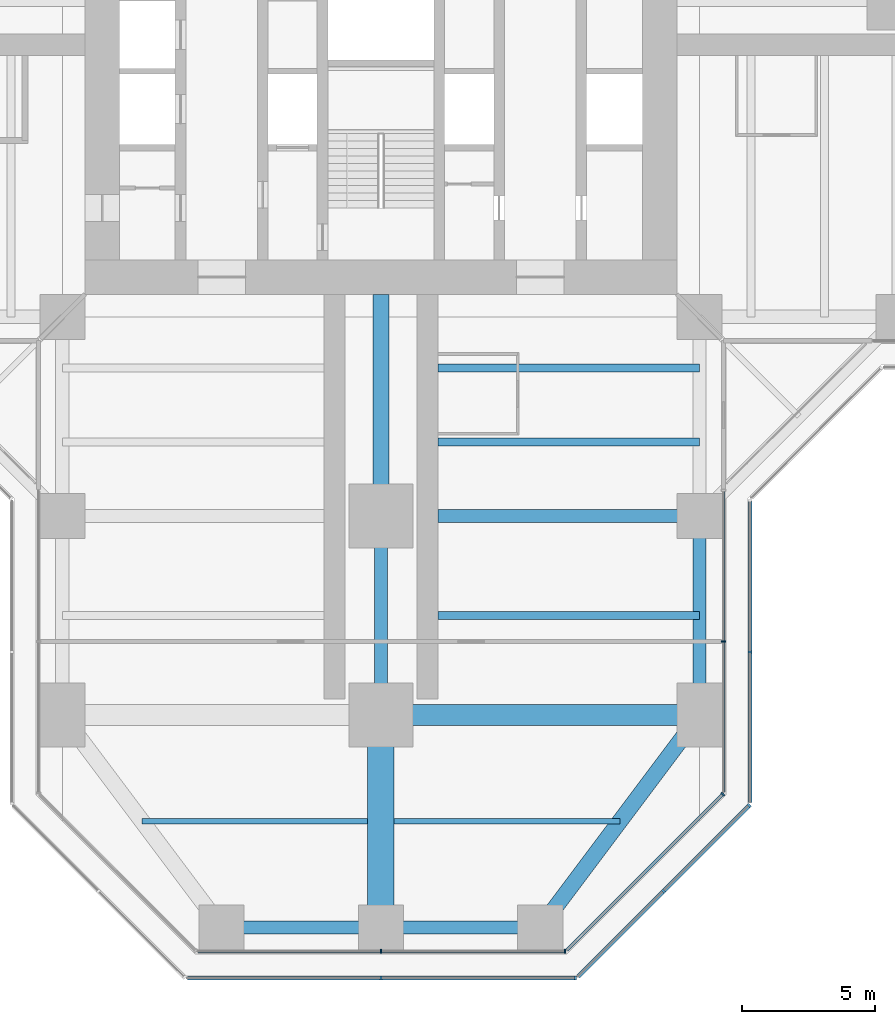
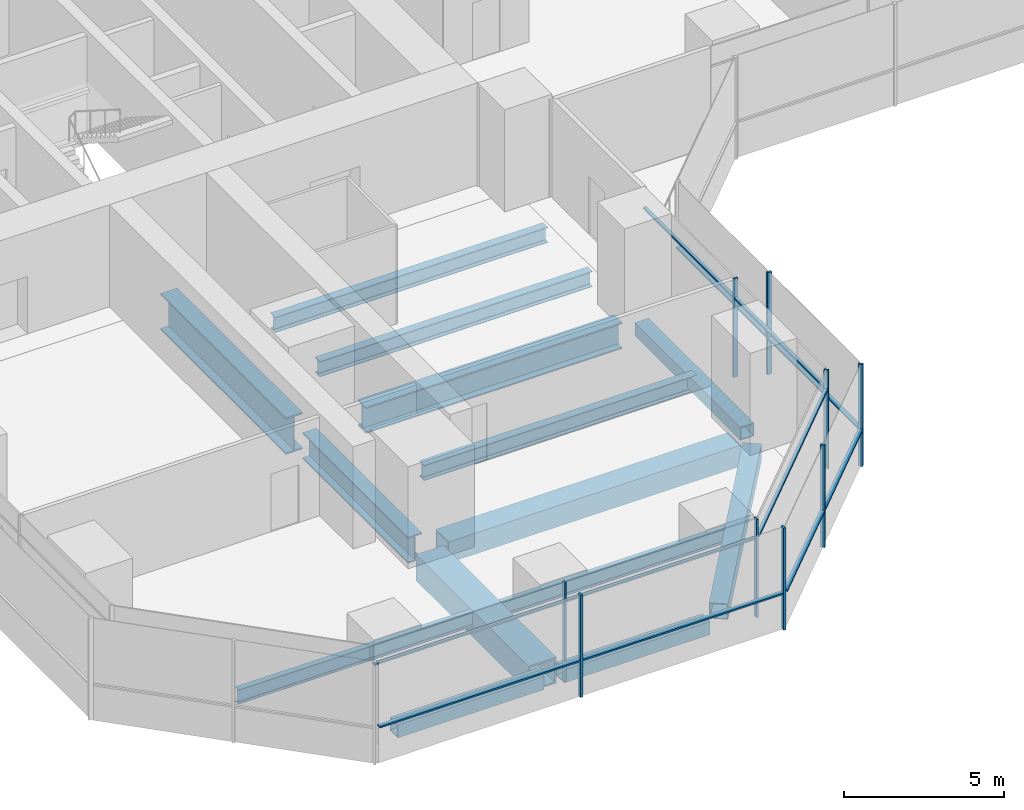
# One storey, part 5 of 22: 20 members, 14 beams, 6 elements without a shape of their own.
"""IFC4 building model written with IfcOpenShell, lengths in metres."""

from ifc_helpers import new_model, si_unit, direction, frame, origin, origin_2d, place, context, subcontext, project, spatial, rectangle, hollow_rectangle, i_section, extrude, material, material_profile, profile_set, type_object, element, aggregate, save


model = new_model("IFC4")

# Units and contexts
model_context = context("Model", 3, precision=1e-05, world=origin(), true_north=direction((0.0, 1.0)))
body_context = subcontext(model_context, "Body", "Model", "MODEL_VIEW")
ifc_project = project(units=[si_unit("LENGTHUNIT", "METRE"), si_unit("AREAUNIT", "SQUARE_METRE"), si_unit("VOLUMEUNIT", "CUBIC_METRE"), si_unit("PLANEANGLEUNIT", "RADIAN"), si_unit("MASSUNIT", "GRAM", prefix="KILO")], contexts=[model_context])

# Site, building, storey
site_placement = place(None, origin())
site = spatial("IfcSite", under=ifc_project, at=site_placement, CompositionType="ELEMENT")
building_placement = place(site_placement, origin())
building = spatial("IfcBuilding", under=site, at=building_placement, Name="Mizan Broadcast Tower", CompositionType="ELEMENT")
storey_placement = place(building_placement, frame((0.0, 0.0, 109.800048828125)))
storey = spatial("IfcBuildingStorey", under=building, at=storey_placement, Name="L24", CompositionType="ELEMENT", Elevation=109.800048828125)

# Beams
ifc_material_1 = material(Name="Steel S355", Category="steel")
ifc_material_profile_1 = material_profile(ifc_material_1, hollow_rectangle(XDim=0.5, YDim=0.5, WallThickness=0.030029296875, at=origin_2d()), Name="BOX 500x500x30")
ifc_profile_set_1 = profile_set([ifc_material_profile_1], Name="Steel S355")
beam_type_1 = type_object("IfcBeamType", Name="EDGE BEAM BOX 500x500x30", PredefinedType="SPANDREL", material=ifc_profile_set_1)
beam_1_placement = place(storey_placement, frame((-5.639892578125, -35.0, -0.380126953125), z_axis=(1.0, 0.0, 0.0), x_axis=(0.0, 1.0, 0.0)))
element("IfcBeam", 1, at=beam_1_placement, inside=storey, type_object=beam_type_1, Name="Edge beam BOX 500x500x30 L24 south arm", PredefinedType="SPANDREL", context=body_context, shape_type="SweptSolid", body=[
    extrude(hollow_rectangle(XDim=0.5, YDim=0.5, WallThickness=0.030029296875, at=origin_2d()), origin(), (0.0, 0.0, 1.0), 5.27978515625),
])
beam_2_placement = place(storey_placement, frame((12.0, -19.949951171875, -0.380126953125), z_axis=(0.0, -1.0, 0.0), x_axis=(1.0, 0.0, 0.0)))
element("IfcBeam", 2, at=beam_2_placement, inside=storey, type_object=beam_type_1, Name="Edge beam BOX 500x500x30 L24 south arm", PredefinedType="SPANDREL", context=body_context, shape_type="SweptSolid", body=[
    extrude(hollow_rectangle(XDim=0.5, YDim=0.5, WallThickness=0.030029296875, at=origin_2d()), origin(), (0.0, 0.0, 1.0), 6.60009765625),
])
beam_3_placement = place(storey_placement, frame((5.639892578125, -35.0, -0.380126953125), z_axis=(-1.0, 0.0, 0.0), x_axis=(0.0, -1.0, 0.0)))
element("IfcBeam", 3, at=beam_3_placement, inside=storey, type_object=beam_type_1, Name="Edge beam BOX 500x500x30 L24 south arm", PredefinedType="SPANDREL", context=body_context, shape_type="SweptSolid", body=[
    extrude(hollow_rectangle(XDim=0.5, YDim=0.5, WallThickness=0.030029296875, at=origin_2d()), origin(), (0.0, 0.0, 1.0), 5.27978515625),
])
ifc_material_2 = material(Name="Steel S355", Category="steel")
ifc_material_profile_2 = material_profile(ifc_material_2, hollow_rectangle(XDim=0.60009765625, YDim=0.60009765625, WallThickness=0.030029296875, at=origin_2d()), Name="BOX 600x600x30")
ifc_profile_set_2 = profile_set([ifc_material_profile_2], Name="Steel S355")
beam_type_2 = type_object("IfcBeamType", Name="EDGE BEAM BOX 600x600x30", PredefinedType="SPANDREL", material=ifc_profile_set_2)
beam_4_placement = place(storey_placement, frame((11.639892578125, -27.47998046875, -0.429931640625), z_axis=(-0.599982243973, -0.800013316712, 0.0), x_axis=(0.800013316712, -0.599982243973, 0.0)))
element("IfcBeam", 4, at=beam_4_placement, inside=storey, type_object=beam_type_2, Name="Edge beam BOX 600x600x30 L24 south arm", PredefinedType="SPANDREL", context=body_context, shape_type="SweptSolid", body=[
    extrude(hollow_rectangle(XDim=0.60009765625, YDim=0.60009765625, WallThickness=0.030029296875, at=origin_2d()), origin(), (0.0, 0.0, 1.0), 8.7998046875),
])
ifc_material_3 = material(Name="Steel S460", Category="steel")
ifc_material_profile_3 = material_profile(ifc_material_3, hollow_rectangle(XDim=1.0, YDim=1.0, WallThickness=0.06005859375, at=origin_2d()), Name="BOX 1000x1000x60")
ifc_profile_set_3 = profile_set([ifc_material_profile_3], Name="Steel S460")
beam_type_3 = type_object("IfcBeamType", Name="GIRDER BOX 1000x1000x60", PredefinedType="BEAM", material=ifc_profile_set_3)
beam_5_placement = place(storey_placement, frame((0.0, -27.47998046875, -0.630126953125), z_axis=(0.0, -1.0, 0.0), x_axis=(1.0, 0.0, 0.0)))
element("IfcBeam", 5, at=beam_5_placement, inside=storey, type_object=beam_type_3, Name="Girder BOX 1000x1000x60 L24 south arm", PredefinedType="BEAM", context=body_context, shape_type="SweptSolid", body=[
    extrude(hollow_rectangle(XDim=1.0, YDim=1.0, WallThickness=0.06005859375, at=origin_2d()), origin(), (0.0, 0.0, 1.0), 7.0400390625),
])
ifc_material_4 = material(Name="Steel S460", Category="steel")
ifc_material_profile_4 = material_profile(ifc_material_4, hollow_rectangle(XDim=0.800048828125, YDim=0.800048828125, WallThickness=0.050048828125, at=origin_2d()), Name="BOX 800x800x50")
ifc_profile_set_4 = profile_set([ifc_material_profile_4], Name="Steel S460")
beam_type_4 = type_object("IfcBeamType", Name="GIRDER BOX 800x800x50", PredefinedType="BEAM", material=ifc_profile_set_4)
beam_6_placement = place(storey_placement, frame((11.280029296875, -27.0, -0.530029296875), z_axis=(-1.0, 0.0, 0.0), x_axis=(0.0, -1.0, 0.0)))
element("IfcBeam", 6, at=beam_6_placement, inside=storey, type_object=beam_type_4, Name="Girder BOX 800x800x50 L24 south arm", PredefinedType="BEAM", context=body_context, shape_type="SweptSolid", body=[
    extrude(hollow_rectangle(XDim=0.800048828125, YDim=0.800048828125, WallThickness=0.050048828125, at=origin_2d()), origin(), (0.0, 0.0, 1.0), 10.56005859375),
])
ifc_material_5 = material(Name="Steel S460", Category="steel")
ifc_material_profile_5 = material_profile(ifc_material_5, i_section(OverallWidth=0.5, OverallDepth=1.0, WebThickness=0.02490234375, FlangeThickness=0.050048828125, at=origin_2d()), Name="WPG 1000x500")
ifc_profile_set_5 = profile_set([ifc_material_profile_5], Name="Steel S460")
beam_type_5 = type_object("IfcBeamType", Name="GIRDER WPG 1000x500", PredefinedType="BEAM", material=ifc_profile_set_5)
beam_7_placement = place(storey_placement, frame((0.0, -19.949951171875, -0.630126953125), z_axis=(0.0, -1.0, 0.0), x_axis=(1.0, 0.0, 0.0)))
element("IfcBeam", 7, at=beam_7_placement, inside=storey, type_object=beam_type_5, Name="Girder WPG 1000x500 L24 south arm", PredefinedType="BEAM", context=body_context, shape_type="SweptSolid", body=[
    extrude(i_section(OverallWidth=0.5, OverallDepth=1.0, WebThickness=0.02490234375, FlangeThickness=0.050048828125, at=origin_2d()), origin(), (0.0, 0.0, 1.0), 6.60009765625),
])
beam_8_placement = place(storey_placement, frame((11.408935546875, -19.5, -0.630126953125), z_axis=(-1.0, 0.0, 0.0), x_axis=(0.0, -1.0, 0.0)))
element("IfcBeam", 8, at=beam_8_placement, inside=storey, type_object=beam_type_5, Name="Girder WPG 1000x500 L24 south arm", PredefinedType="BEAM", context=body_context, shape_type="SweptSolid", body=[
    extrude(i_section(OverallWidth=0.5, OverallDepth=1.0, WebThickness=0.02490234375, FlangeThickness=0.050048828125, at=origin_2d()), origin(), (0.0, 0.0, 1.0), 9.259033203125),
])
ifc_material_6 = material(Name="Steel S460", Category="steel")
ifc_material_profile_6 = material_profile(ifc_material_6, i_section(OverallWidth=0.60009765625, OverallDepth=1.39990234375, WebThickness=0.02490234375, FlangeThickness=0.06005859375, at=origin_2d()), Name="WPG 1400x600")
ifc_profile_set_6 = profile_set([ifc_material_profile_6], Name="Steel S460")
beam_type_6 = type_object("IfcBeamType", Name="GIRDER WPG 1400x600", PredefinedType="BEAM", material=ifc_profile_set_6)
beam_9_placement = place(storey_placement, frame((0.0, -11.14990234375, -0.830078125), z_axis=(0.0, -1.0, 0.0), x_axis=(1.0, 0.0, 0.0)))
element("IfcBeam", 9, at=beam_9_placement, inside=storey, type_object=beam_type_6, Name="Girder WPG 1400x600 L24 south arm", PredefinedType="BEAM", context=body_context, shape_type="SweptSolid", body=[
    extrude(i_section(OverallWidth=0.60009765625, OverallDepth=1.39990234375, WebThickness=0.02490234375, FlangeThickness=0.06005859375, at=origin_2d()), origin(), (0.0, 0.0, 1.0), 7.84912109375),
])

# Curtain wall, members
ifc_material_7 = material(Name="Aluminium framed glazing", Category="aluminium")
curtain_wall_type_1 = type_object("IfcCurtainWallType", Name="INNER SKIN LOW ZONE", PredefinedType="USERDEFINED", material=ifc_material_7)
curtain_wall_1_placement = place(storey_placement, origin())
curtain_wall_1 = element("IfcCurtainWall", 10, at=curtain_wall_1_placement, inside=storey, type_object=curtain_wall_type_1, Name="Inner skin low zone L24 S end", ObjectType="INNER SKIN LOW ZONE", PredefinedType="USERDEFINED")
ifc_material_8 = material(Name="Aluminium, pale anodised", Category="aluminium")
ifc_material_profile_7 = material_profile(ifc_material_8, rectangle(XDim=0.159912109375, YDim=0.06005859375, at=origin_2d()), Name="MULLION 160x60")
ifc_profile_set_7 = profile_set([ifc_material_profile_7], Name="Aluminium, pale anodised")
member_type_1 = type_object("IfcMemberType", Name="INNER SKIN MULLION 60x160", PredefinedType="MULLION", material=ifc_profile_set_7)
member_1_placement = place(storey_placement, frame((0.0, -35.89990234375, 0.0), z_axis=(0.0, 0.0, 1.0), x_axis=(0.0, 1.0, 0.0)))
member_1 = element("IfcMember", 11, at=member_1_placement, type_object=member_type_1, Name="Inner skin low zone L24 S end mullion 2", PredefinedType="MULLION", context=body_context, shape_type="SweptSolid", body=[
    extrude(rectangle(XDim=0.159912109375, YDim=0.06005859375, at=origin_2d()), origin(), (0.0, 0.0, 1.0), 3.77001953125),
])
member_2_placement = place(storey_placement, frame((6.928466796875, -35.89990234375, 0.0), z_axis=(0.0, 0.0, 1.0), x_axis=(0.0, 1.0, 0.0)))
member_2 = element("IfcMember", 12, at=member_2_placement, type_object=member_type_1, Name="Inner skin low zone L24 S end mullion 3", PredefinedType="MULLION", context=body_context, shape_type="SweptSolid", body=[
    extrude(rectangle(XDim=0.159912109375, YDim=0.06005859375, at=origin_2d()), origin(), (0.0, 0.0, 1.0), 3.77001953125),
])

# Curtain wall, member
curtain_wall_2_placement = place(storey_placement, origin())
curtain_wall_2 = element("IfcCurtainWall", 13, at=curtain_wall_2_placement, inside=storey, type_object=curtain_wall_type_1, Name="Inner skin low zone L24 S chamfer", ObjectType="INNER SKIN LOW ZONE", PredefinedType="USERDEFINED")
member_3_placement = place(storey_placement, frame((12.87890625, -29.979736328125, 0.0), z_axis=(0.0, 0.0, 1.0), x_axis=(-0.707106781187, 0.707106781187, 0.0)))
member_3 = element("IfcMember", 14, at=member_3_placement, type_object=member_type_1, Name="Inner skin low zone L24 S chamfer mullion 2", PredefinedType="MULLION", context=body_context, shape_type="SweptSolid", body=[
    extrude(rectangle(XDim=0.159912109375, YDim=0.06005859375, at=origin_2d()), origin(), (0.0, 0.0, 1.0), 3.77001953125),
])

curtain_wall_3_placement = place(storey_placement, origin())
curtain_wall_3 = element("IfcCurtainWall", 15, at=curtain_wall_3_placement, inside=storey, type_object=curtain_wall_type_1, Name="Inner skin low zone L24 S side", ObjectType="INNER SKIN LOW ZONE", PredefinedType="USERDEFINED")
member_4_placement = place(storey_placement, frame((12.89990234375, -24.229248046875, 0.0), z_axis=(0.0, 0.0, 1.0), x_axis=(-1.0, 0.0, 0.0)))
member_4 = element("IfcMember", 16, at=member_4_placement, type_object=member_type_1, Name="Inner skin low zone L24 S side mullion 2", PredefinedType="MULLION", context=body_context, shape_type="SweptSolid", body=[
    extrude(rectangle(XDim=0.159912109375, YDim=0.06005859375, at=origin_2d()), origin(), (0.0, 0.0, 1.0), 3.77001953125),
])

# Member
ifc_material_9 = material(Name="Aluminium, pale anodised", Category="aluminium")
ifc_material_profile_8 = material_profile(ifc_material_9, rectangle(XDim=0.1201171875, YDim=0.06005859375, at=origin_2d()), Name="TRANSOM 120x60")
ifc_profile_set_8 = profile_set([ifc_material_profile_8], Name="Aluminium, pale anodised")
member_type_2 = type_object("IfcMemberType", Name="INNER SKIN TRANSOM 60x120", PredefinedType="USERDEFINED", material=ifc_profile_set_8)
member_5_placement = place(storey_placement, frame((-6.898681640625, -35.89990234375, 3.030029296875), z_axis=(1.0, 0.0, 0.0), x_axis=(0.0, 1.0, 0.0)))
member_5 = element("IfcMember", 17, at=member_5_placement, type_object=member_type_2, Name="Inner skin low zone L24 S end transom 1.1", ObjectType="TRANSOM", PredefinedType="USERDEFINED", context=body_context, shape_type="SweptSolid", body=[
    extrude(rectangle(XDim=0.1201171875, YDim=0.06005859375, at=origin_2d()), origin(), (0.0, 0.0, 1.0), 6.86865234375),
])

member_6_placement = place(storey_placement, frame((0.030029296875, -35.89990234375, 3.030029296875), z_axis=(1.0, 0.0, 0.0), x_axis=(0.0, 1.0, 0.0)))
member_6 = element("IfcMember", 18, at=member_6_placement, type_object=member_type_2, Name="Inner skin low zone L24 S end transom 2.1", ObjectType="TRANSOM", PredefinedType="USERDEFINED", context=body_context, shape_type="SweptSolid", body=[
    extrude(rectangle(XDim=0.1201171875, YDim=0.06005859375, at=origin_2d()), origin(), (0.0, 0.0, 1.0), 6.86865234375),
])

aggregate(curtain_wall_1, [member_1, member_2, member_5, member_6])

member_7_placement = place(storey_placement, frame((7.0009765625, -35.857666015625, 3.030029296875), z_axis=(0.707106781187, 0.707106781187, 0.0), x_axis=(-0.707106781187, 0.707106781187, 0.0)))
member_7 = element("IfcMember", 19, at=member_7_placement, type_object=member_type_2, Name="Inner skin low zone L24 S chamfer transom 1.1", ObjectType="TRANSOM", PredefinedType="USERDEFINED", context=body_context, shape_type="SweptSolid", body=[
    extrude(rectangle(XDim=0.1201171875, YDim=0.06005859375, at=origin_2d()), origin(), (0.0, 0.0, 1.0), 8.28271484375),
])

aggregate(curtain_wall_2, [member_3, member_7])

member_8_placement = place(storey_placement, frame((12.89990234375, -29.898681640625, 3.030029296875), z_axis=(0.0, 1.0, 0.0), x_axis=(-1.0, 0.0, 0.0)))
member_8 = element("IfcMember", 20, at=member_8_placement, type_object=member_type_2, Name="Inner skin low zone L24 S side transom 1.1", ObjectType="TRANSOM", PredefinedType="USERDEFINED", context=body_context, shape_type="SweptSolid", body=[
    extrude(rectangle(XDim=0.1201171875, YDim=0.06005859375, at=origin_2d()), origin(), (0.0, 0.0, 1.0), 5.639404296875),
])

member_9_placement = place(storey_placement, frame((12.89990234375, -24.19921875, 3.030029296875), z_axis=(0.0, 1.0, 0.0), x_axis=(-1.0, 0.0, 0.0)))
member_9 = element("IfcMember", 21, at=member_9_placement, type_object=member_type_2, Name="Inner skin low zone L24 S side transom 2.1", ObjectType="TRANSOM", PredefinedType="USERDEFINED", context=body_context, shape_type="SweptSolid", body=[
    extrude(rectangle(XDim=0.1201171875, YDim=0.06005859375, at=origin_2d()), origin(), (0.0, 0.0, 1.0), 5.63916015625),
])

aggregate(curtain_wall_3, [member_4, member_8, member_9])

# Curtain wall, members
ifc_material_10 = material(Name="Aluminium framed glazing", Category="aluminium")
curtain_wall_type_2 = type_object("IfcCurtainWallType", Name="OUTER SKIN", PredefinedType="USERDEFINED", material=ifc_material_10)
curtain_wall_4_placement = place(storey_placement, origin())
curtain_wall_4 = element("IfcCurtainWall", 22, at=curtain_wall_4_placement, inside=storey, type_object=curtain_wall_type_2, Name="Outer skin L24 S end", ObjectType="OUTER SKIN", PredefinedType="USERDEFINED")
ifc_material_11 = material(Name="Aluminium, pale anodised", Category="aluminium")
ifc_material_profile_9 = material_profile(ifc_material_11, rectangle(XDim=0.159912109375, YDim=0.080078125, at=origin_2d()), Name="MULLION 160x80")
ifc_profile_set_9 = profile_set([ifc_material_profile_9], Name="Aluminium, pale anodised")
member_type_3 = type_object("IfcMemberType", Name="OUTER SKIN MULLION 80x160", PredefinedType="MULLION", material=ifc_profile_set_9)
member_10_placement = place(storey_placement, frame((0.0, -36.89990234375, 0.0), z_axis=(0.0, 0.0, 1.0), x_axis=(0.0, 1.0, 0.0)))
member_10 = element("IfcMember", 23, at=member_10_placement, type_object=member_type_3, Name="Outer skin L24 S end mullion 2", PredefinedType="MULLION", context=body_context, shape_type="SweptSolid", body=[
    extrude(rectangle(XDim=0.159912109375, YDim=0.080078125, at=origin_2d()), origin(), (0.0, 0.0, 1.0), 3.89990234375),
])
member_11_placement = place(storey_placement, frame((7.332763671875, -36.89990234375, 0.0), z_axis=(0.0, 0.0, 1.0), x_axis=(0.0, 1.0, 0.0)))
member_11 = element("IfcMember", 24, at=member_11_placement, type_object=member_type_3, Name="Outer skin L24 S end mullion 3", PredefinedType="MULLION", context=body_context, shape_type="SweptSolid", body=[
    extrude(rectangle(XDim=0.159912109375, YDim=0.080078125, at=origin_2d()), origin(), (0.0, 0.0, 1.0), 3.89990234375),
])

curtain_wall_5_placement = place(storey_placement, origin())
curtain_wall_5 = element("IfcCurtainWall", 25, at=curtain_wall_5_placement, inside=storey, type_object=curtain_wall_type_2, Name="Outer skin L24 S chamfer", ObjectType="OUTER SKIN", PredefinedType="USERDEFINED")
member_12_placement = place(storey_placement, frame((10.636474609375, -33.636474609375, 0.0), z_axis=(0.0, 0.0, 1.0), x_axis=(-0.707106781187, 0.707106781187, 0.0)))
member_12 = element("IfcMember", 26, at=member_12_placement, type_object=member_type_3, Name="Outer skin L24 S chamfer mullion 2", PredefinedType="MULLION", context=body_context, shape_type="SweptSolid", body=[
    extrude(rectangle(XDim=0.159912109375, YDim=0.080078125, at=origin_2d()), origin(), (0.0, 0.0, 1.0), 3.89990234375),
])
member_13_placement = place(storey_placement, frame((13.871826171875, -30.401123046875, 0.0), z_axis=(0.0, 0.0, 1.0), x_axis=(-0.707106781187, 0.707106781187, 0.0)))
member_13 = element("IfcMember", 27, at=member_13_placement, type_object=member_type_3, Name="Outer skin L24 S chamfer mullion 3", PredefinedType="MULLION", context=body_context, shape_type="SweptSolid", body=[
    extrude(rectangle(XDim=0.159912109375, YDim=0.080078125, at=origin_2d()), origin(), (0.0, 0.0, 1.0), 3.89990234375),
])

# Curtain wall, member
curtain_wall_6_placement = place(storey_placement, origin())
curtain_wall_6 = element("IfcCurtainWall", 28, at=curtain_wall_6_placement, inside=storey, type_object=curtain_wall_type_2, Name="Outer skin L24 S side", ObjectType="OUTER SKIN", PredefinedType="USERDEFINED")
member_14_placement = place(storey_placement, frame((13.89990234375, -24.622802734375, 0.0), z_axis=(0.0, 0.0, 1.0), x_axis=(-1.0, 0.0, 0.0)))
member_14 = element("IfcMember", 29, at=member_14_placement, type_object=member_type_3, Name="Outer skin L24 S side mullion 2", PredefinedType="MULLION", context=body_context, shape_type="SweptSolid", body=[
    extrude(rectangle(XDim=0.159912109375, YDim=0.080078125, at=origin_2d()), origin(), (0.0, 0.0, 1.0), 3.89990234375),
])

# Member
ifc_material_12 = material(Name="Aluminium, pale anodised", Category="aluminium")
ifc_material_profile_10 = material_profile(ifc_material_12, rectangle(XDim=0.159912109375, YDim=0.06005859375, at=origin_2d()), Name="TRANSOM 160x60")
ifc_profile_set_10 = profile_set([ifc_material_profile_10], Name="Aluminium, pale anodised")
member_type_4 = type_object("IfcMemberType", Name="OUTER SKIN TRANSOM 60x160", PredefinedType="USERDEFINED", material=ifc_profile_set_10)
member_15_placement = place(storey_placement, frame((-7.292724609375, -36.89990234375, 1.39990234375), z_axis=(1.0, 0.0, 0.0), x_axis=(0.0, 1.0, 0.0)))
member_15 = element("IfcMember", 30, at=member_15_placement, type_object=member_type_4, Name="Outer skin L24 S end transom 1.1", ObjectType="TRANSOM", PredefinedType="USERDEFINED", context=body_context, shape_type="SweptSolid", body=[
    extrude(rectangle(XDim=0.159912109375, YDim=0.06005859375, at=origin_2d()), origin(), (0.0, 0.0, 1.0), 7.252685546875),
])

member_16_placement = place(storey_placement, frame((0.0400390625, -36.89990234375, 1.39990234375), z_axis=(1.0, 0.0, 0.0), x_axis=(0.0, 1.0, 0.0)))
member_16 = element("IfcMember", 31, at=member_16_placement, type_object=member_type_4, Name="Outer skin L24 S end transom 2.1", ObjectType="TRANSOM", PredefinedType="USERDEFINED", context=body_context, shape_type="SweptSolid", body=[
    extrude(rectangle(XDim=0.159912109375, YDim=0.06005859375, at=origin_2d()), origin(), (0.0, 0.0, 1.0), 7.252685546875),
])

aggregate(curtain_wall_4, [member_10, member_11, member_15, member_16])

member_17_placement = place(storey_placement, frame((7.429443359375, -36.843505859375, 1.39990234375), z_axis=(0.707106781187, 0.707106781187, 0.0), x_axis=(-0.707106781187, 0.707106781187, 0.0)))
member_17 = element("IfcMember", 32, at=member_17_placement, type_object=member_type_4, Name="Outer skin L24 S chamfer transom 1.1", ObjectType="TRANSOM", PredefinedType="USERDEFINED", context=body_context, shape_type="SweptSolid", body=[
    extrude(rectangle(XDim=0.159912109375, YDim=0.06005859375, at=origin_2d()), origin(), (0.0, 0.0, 1.0), 4.495361328125),
])

member_18_placement = place(storey_placement, frame((10.664794921875, -33.608154296875, 1.39990234375), z_axis=(0.707106781187, 0.707106781187, 0.0), x_axis=(-0.707106781187, 0.707106781187, 0.0)))
member_18 = element("IfcMember", 33, at=member_18_placement, type_object=member_type_4, Name="Outer skin L24 S chamfer transom 2.1", ObjectType="TRANSOM", PredefinedType="USERDEFINED", context=body_context, shape_type="SweptSolid", body=[
    extrude(rectangle(XDim=0.159912109375, YDim=0.06005859375, at=origin_2d()), origin(), (0.0, 0.0, 1.0), 4.495361328125),
])

aggregate(curtain_wall_5, [member_12, member_13, member_17, member_18])

member_19_placement = place(storey_placement, frame((13.89990234375, -30.292724609375, 1.39990234375), z_axis=(0.0, 1.0, 0.0), x_axis=(-1.0, 0.0, 0.0)))
member_19 = element("IfcMember", 34, at=member_19_placement, type_object=member_type_4, Name="Outer skin L24 S side transom 1.1", ObjectType="TRANSOM", PredefinedType="USERDEFINED", context=body_context, shape_type="SweptSolid", body=[
    extrude(rectangle(XDim=0.159912109375, YDim=0.06005859375, at=origin_2d()), origin(), (0.0, 0.0, 1.0), 5.6298828125),
])

member_20_placement = place(storey_placement, frame((13.89990234375, -24.582763671875, 1.39990234375), z_axis=(0.0, 1.0, 0.0), x_axis=(-1.0, 0.0, 0.0)))
member_20 = element("IfcMember", 35, at=member_20_placement, type_object=member_type_4, Name="Outer skin L24 S side transom 2.1", ObjectType="TRANSOM", PredefinedType="USERDEFINED", context=body_context, shape_type="SweptSolid", body=[
    extrude(rectangle(XDim=0.159912109375, YDim=0.06005859375, at=origin_2d()), origin(), (0.0, 0.0, 1.0), 5.6298828125),
])

aggregate(curtain_wall_6, [member_14, member_19, member_20])

# Beams
ifc_material_13 = material(Name="Steel S355", Category="steel")
ifc_material_profile_11 = material_profile(ifc_material_13, i_section(OverallWidth=0.300048828125, OverallDepth=0.590087890625, WebThickness=0.012939453125, FlangeThickness=0.02490234375, FilletRadius=0.027099609375, at=origin_2d()), Name="HEA 600")
ifc_profile_set_11 = profile_set([ifc_material_profile_11], Name="Steel S355")
beam_type_7 = type_object("IfcBeamType", Name="SECONDARY BEAM HEA 600", PredefinedType="JOIST", material=ifc_profile_set_11)
for number, where, z_axis, x_axis, name in (
    (36, (12.0, -13.933349609375, -0.425048828125), (-1.0, 0.0, 0.0), (0.0, -1.0, 0.0), "Secondary beam HEA 600 L24 south arm"),
    (37, (12.0, -16.716552734375, -0.425048828125), (-1.0, 0.0, 0.0), (0.0, -1.0, 0.0), "Secondary beam HEA 600 L24 south arm"),
    (38, (12.0, -23.25, -0.425048828125), (-1.0, 0.0, 0.0), (0.0, -1.0, 0.0), "Secondary beam HEA 600 L24 south arm"),
):
    element("IfcBeam", number, at=place(storey_placement, frame(where, z_axis=z_axis, x_axis=x_axis)), inside=storey, type_object=beam_type_7, Name=name, PredefinedType="JOIST", context=body_context, shape_type="SweptSolid", body=[
        extrude(i_section(OverallWidth=0.300048828125, OverallDepth=0.590087890625, WebThickness=0.012939453125, FlangeThickness=0.02490234375, FilletRadius=0.027099609375, at=origin_2d()), origin(), (0.0, 0.0, 1.0), 9.85009765625),
    ])
ifc_material_14 = material(Name="Steel S355", Category="steel")
ifc_material_profile_12 = material_profile(ifc_material_14, i_section(OverallWidth=0.2099609375, OverallDepth=0.550048828125, WebThickness=0.010986328125, FlangeThickness=0.01708984375, FilletRadius=0.02392578125, at=origin_2d()), Name="IPE 550")
ifc_profile_set_12 = profile_set([ifc_material_profile_12], Name="Steel S355")
beam_type_8 = type_object("IfcBeamType", Name="SECONDARY BEAM IPE 550", PredefinedType="JOIST", material=ifc_profile_set_12)
for number, where, z_axis, x_axis, name in (
    (39, (-9.0, -31.0, -0.405029296875), (1.0, 0.0, 0.0), (0.0, 1.0, 0.0), "Secondary beam IPE 550 L24 south arm"),
    (40, (9.0, -31.0, -0.405029296875), (-1.0, 0.0, 0.0), (0.0, -1.0, 0.0), "Secondary beam IPE 550 L24 south arm"),
):
    element("IfcBeam", number, at=place(storey_placement, frame(where, z_axis=z_axis, x_axis=x_axis)), inside=storey, type_object=beam_type_8, Name=name, PredefinedType="JOIST", context=body_context, shape_type="SweptSolid", body=[
        extrude(i_section(OverallWidth=0.2099609375, OverallDepth=0.550048828125, WebThickness=0.010986328125, FlangeThickness=0.01708984375, FilletRadius=0.02392578125, at=origin_2d()), origin(), (0.0, 0.0, 1.0), 8.5),
    ])

save(model, "model.ifc")
